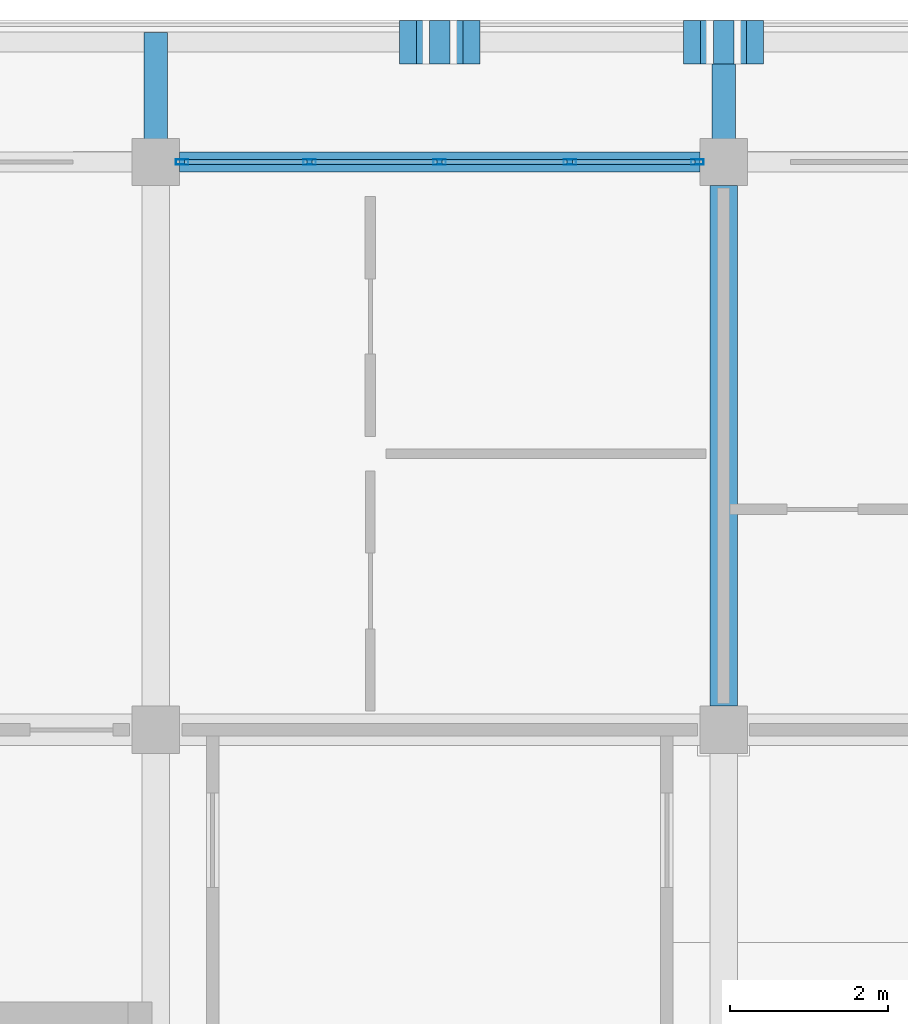
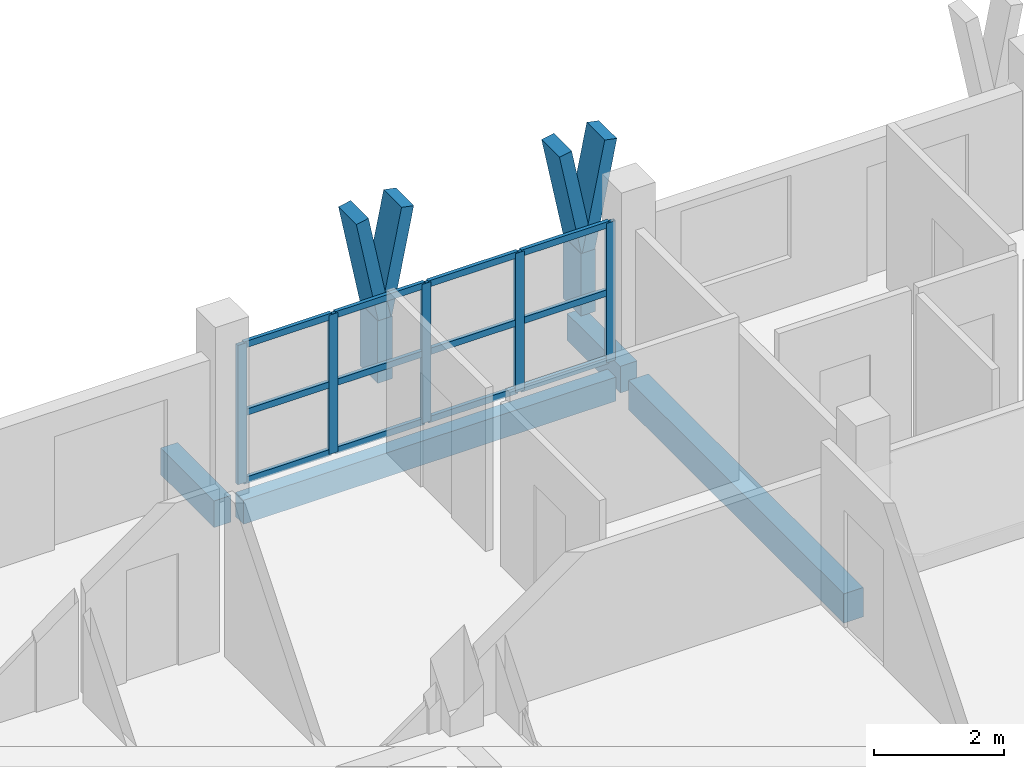
# One storey, part 31 of 75: 23 members, 4 beams, 1 element without a shape of its own.
"""IFC4 building model written with IfcOpenShell, lengths in metres."""

from ifc_helpers import new_model, si_unit, direction, frame, origin, origin_2d, place, context, subcontext, project, spatial, rectangle, hollow_rectangle, extrude, material, material_profile, profile_set, type_object, element, aggregate, save


model = new_model("IFC4")

# Units and contexts
model_context = context("Model", 3, precision=1e-05, world=origin(), true_north=direction((0.0, 1.0)))
body_context = subcontext(model_context, "Body", "Model", "MODEL_VIEW")
ifc_project = project(units=[si_unit("LENGTHUNIT", "METRE"), si_unit("AREAUNIT", "SQUARE_METRE"), si_unit("VOLUMEUNIT", "CUBIC_METRE"), si_unit("PLANEANGLEUNIT", "RADIAN"), si_unit("MASSUNIT", "GRAM", prefix="KILO")], contexts=[model_context])

# Site, building, storey
site_placement = place(None, origin())
site = spatial("IfcSite", under=ifc_project, at=site_placement, CompositionType="ELEMENT")
building_placement = place(site_placement, origin())
building = spatial("IfcBuilding", under=site, at=building_placement, Name="Suanplinth Sawtooth Commons", CompositionType="ELEMENT")
storey_placement = place(building_placement, frame((0.0, 0.0, 18.60009765625)))
storey = spatial("IfcBuildingStorey", under=building, at=storey_placement, Name="L05", CompositionType="ELEMENT", Elevation=18.60009765625)

# Beams
ifc_material_1 = material(Name="Precast concrete C40/50", Category="concrete")
ifc_material_profile_1 = material_profile(ifc_material_1, rectangle(XDim=0.35009765625, YDim=0.550048828125, at=origin_2d()), Name="PC-BM 350x550")
ifc_profile_set_1 = profile_set([ifc_material_profile_1], Name="Precast concrete C40/50")
beam_type_1 = type_object("IfcBeamType", Name="B-06", PredefinedType="BEAM", material=ifc_profile_set_1)
beam_1_placement = place(storey_placement, frame((172.800048828125, 115.5, -0.525146484375), z_axis=(0.0, 1.0, 0.0), x_axis=(-1.0, 0.0, 0.0)))
element("IfcBeam", 1, at=beam_1_placement, inside=storey, type_object=beam_type_1, Name="BMY-L05-B-24-16", PredefinedType="BEAM", context=body_context, shape_type="SweptSolid", body=[
    extrude(rectangle(XDim=0.35009765625, YDim=0.550048828125, at=origin_2d()), origin(), (0.0, 0.0, 1.0), 6.60009765625),
])
ifc_material_profile_2 = material_profile(ifc_material_1, rectangle(XDim=0.300048828125, YDim=0.5, at=origin_2d()), Name="PC-BM 300x500")
ifc_profile_set_2 = profile_set([ifc_material_profile_2], Name="Precast concrete C40/50")
beam_type_2 = type_object("IfcBeamType", Name="B-07", PredefinedType="BEAM", material=ifc_profile_set_2)
for number, where, z_axis, x_axis, name in (
    (2, (165.60009765625, 122.39990234375, -0.43017578125), (0.0, 1.0, 0.0), (-1.0, 0.0, 0.0), "Balcony Outrigger L05-B-N-23"),
    (3, (172.800048828125, 122.39990234375, -0.43017578125), (0.0, 1.0, 0.0), (-1.0, 0.0, 0.0), "Balcony Outrigger L05-B-N-24"),
):
    element("IfcBeam", number, at=place(storey_placement, frame(where, z_axis=z_axis, x_axis=x_axis)), inside=storey, type_object=beam_type_2, Name=name, PredefinedType="BEAM", context=body_context, shape_type="SweptSolid", body=[
        extrude(rectangle(XDim=0.300048828125, YDim=0.5, at=origin_2d()), origin(), (0.0, 0.0, 1.0), 1.64013671875),
    ])
ifc_material_profile_3 = material_profile(ifc_material_1, rectangle(XDim=0.25, YDim=0.449951171875, at=origin_2d()), Name="PC-SP 250x450")
ifc_profile_set_3 = profile_set([ifc_material_profile_3], Name="Precast concrete C40/50")
beam_type_3 = type_object("IfcBeamType", Name="B-09", PredefinedType="SPANDREL", material=ifc_profile_set_3)
beam_2_placement = place(storey_placement, frame((165.89990234375, 122.39990234375, -0.47509765625), z_axis=(1.0, 0.0, 0.0), x_axis=(0.0, 1.0, 0.0)))
element("IfcBeam", 4, at=beam_2_placement, inside=storey, type_object=beam_type_3, Name="BMX-L05-B-23-17", PredefinedType="SPANDREL", context=body_context, shape_type="SweptSolid", body=[
    extrude(rectangle(XDim=0.25, YDim=0.449951171875, at=origin_2d()), origin(), (0.0, 0.0, 1.0), 6.60009765625),
])

# Members
ifc_material_2 = material(Name="Pigmented precast concrete C40/50", Category="concrete")
ifc_material_profile_4 = material_profile(ifc_material_2, rectangle(XDim=0.260009765625, YDim=0.550048828125, at=origin_2d()), Name="PC-FIN 260x550")
ifc_profile_set_4 = profile_set([ifc_material_profile_4], Name="Pigmented precast concrete C40/50")
member_type_1 = type_object("IfcMemberType", Name="M-09", PredefinedType="USERDEFINED", material=ifc_profile_set_4)
for number, where, z_axis, x_axis, name in (
    (5, (169.199951171875, 123.919921875, 0.0), (0.0, 0.0, 1.0), (1.0, 0.0, 0.0), "Y-Blade Stem L05-B-N-05"),
    (6, (172.800048828125, 123.919921875, 0.0), (0.0, 0.0, 1.0), (1.0, 0.0, 0.0), "Y-Blade Stem L05-B-N-06"),
):
    element("IfcMember", number, at=place(storey_placement, frame(where, z_axis=z_axis, x_axis=x_axis)), inside=storey, type_object=member_type_1, Name=name, ObjectType="SHADING FIN", PredefinedType="USERDEFINED", context=body_context, shape_type="SweptSolid", body=[
        extrude(rectangle(XDim=0.260009765625, YDim=0.550048828125, at=origin_2d()), origin(), (0.0, 0.0, 1.0), 1.169921875),
    ])
ifc_material_profile_5 = material_profile(ifc_material_2, rectangle(XDim=0.219970703125, YDim=0.550048828125, at=origin_2d()), Name="PC-FIN 220x550")
ifc_profile_set_5 = profile_set([ifc_material_profile_5], Name="Pigmented precast concrete C40/50")
member_type_2 = type_object("IfcMemberType", Name="M-10", PredefinedType="USERDEFINED", material=ifc_profile_set_5)
for number, where, z_axis, x_axis, name in (
    (7, (169.199951171875, 123.919921875, 1.1298828125), (-0.196415357203, 0.0, 0.980520783795), (0.980520783795, 0.0, 0.196415357203), "Y-Blade Arm L L05-B-N-05"),
    (8, (169.199951171875, 123.919921875, 1.1298828125), (0.196530428008, 0.0, 0.98049772609), (-0.98049772609, 0.0, 0.196530428008), "Y-Blade Arm R L05-B-N-05"),
    (9, (172.800048828125, 123.919921875, 1.1298828125), (-0.196530428008, 0.0, 0.98049772609), (0.98049772609, 0.0, 0.196530428008), "Y-Blade Arm L L05-B-N-06"),
    (10, (172.800048828125, 123.919921875, 1.1298828125), (0.196415357203, 0.0, 0.980520783795), (-0.980520783795, 0.0, 0.196415357203), "Y-Blade Arm R L05-B-N-06"),
):
    element("IfcMember", number, at=place(storey_placement, frame(where, z_axis=z_axis, x_axis=x_axis)), inside=storey, type_object=member_type_2, Name=name, ObjectType="SHADING FIN", PredefinedType="USERDEFINED", context=body_context, shape_type="SweptSolid", body=[
        extrude(rectangle(XDim=0.219970703125, YDim=0.550048828125, at=origin_2d()), origin(), (0.0, 0.0, 1.0), 2.039794921875),
    ])

# Curtain wall, members
ifc_material_3 = material(Name="Anodized aluminium and low-E glazing", Category="aluminium")
curtain_wall_type = type_object("IfcCurtainWallType", Name="CW-06", PredefinedType="USERDEFINED", material=ifc_material_3)
curtain_wall_placement = place(storey_placement, origin())
curtain_wall = element("IfcCurtainWall", 11, at=curtain_wall_placement, inside=storey, type_object=curtain_wall_type, Name="Curtain Wall CW-L05-B-LOUNGE-23", ObjectType="CURTAIN WALL", PredefinedType="USERDEFINED")
ifc_material_4 = material(Name="Anodized aluminium 6063-T6", Category="aluminium")
ifc_material_profile_6 = material_profile(ifc_material_4, hollow_rectangle(XDim=0.06494140625, YDim=0.159912109375, WallThickness=0.00390625, at=origin_2d()), Name="ALU-MUL 65x160")
ifc_profile_set_6 = profile_set([ifc_material_profile_6], Name="Anodized aluminium 6063-T6")
member_type_3 = type_object("IfcMemberType", Name="M-13", PredefinedType="MULLION", material=ifc_profile_set_6)
member_1_placement = place(storey_placement, frame((165.9326171875, 122.39990234375, 0.0), z_axis=(0.0, 0.0, 1.0), x_axis=(0.0, 1.0, 0.0)))
member_1 = element("IfcMember", 12, at=member_1_placement, type_object=member_type_3, Name="CW-06 mullion 1", PredefinedType="MULLION", context=body_context, shape_type="SweptSolid", body=[
    extrude(hollow_rectangle(XDim=0.06494140625, YDim=0.159912109375, WallThickness=0.00390625, at=origin_2d()), origin(), (0.0, 0.0, 1.0), 2.60986328125),
])
member_2_placement = place(storey_placement, frame((167.550048828125, 122.39990234375, 0.0), z_axis=(0.0, 0.0, 1.0), x_axis=(0.0, 1.0, 0.0)))
member_2 = element("IfcMember", 13, at=member_2_placement, type_object=member_type_3, Name="CW-06 mullion 2", PredefinedType="MULLION", context=body_context, shape_type="SweptSolid", body=[
    extrude(hollow_rectangle(XDim=0.06494140625, YDim=0.159912109375, WallThickness=0.00390625, at=origin_2d()), origin(), (0.0, 0.0, 1.0), 2.60986328125),
])
member_3_placement = place(storey_placement, frame((169.199951171875, 122.39990234375, 0.0), z_axis=(0.0, 0.0, 1.0), x_axis=(0.0, 1.0, 0.0)))
member_3 = element("IfcMember", 14, at=member_3_placement, type_object=member_type_3, Name="CW-06 mullion 3", PredefinedType="MULLION", context=body_context, shape_type="SweptSolid", body=[
    extrude(hollow_rectangle(XDim=0.06494140625, YDim=0.159912109375, WallThickness=0.00390625, at=origin_2d()), origin(), (0.0, 0.0, 1.0), 2.60986328125),
])
member_4_placement = place(storey_placement, frame((170.85009765625, 122.39990234375, 0.0), z_axis=(0.0, 0.0, 1.0), x_axis=(0.0, 1.0, 0.0)))
member_4 = element("IfcMember", 15, at=member_4_placement, type_object=member_type_3, Name="CW-06 mullion 4", PredefinedType="MULLION", context=body_context, shape_type="SweptSolid", body=[
    extrude(hollow_rectangle(XDim=0.06494140625, YDim=0.159912109375, WallThickness=0.00390625, at=origin_2d()), origin(), (0.0, 0.0, 1.0), 2.60986328125),
])
member_5_placement = place(storey_placement, frame((172.467529296875, 122.39990234375, 0.0), z_axis=(0.0, 0.0, 1.0), x_axis=(0.0, 1.0, 0.0)))
member_5 = element("IfcMember", 16, at=member_5_placement, type_object=member_type_3, Name="CW-06 mullion 5", PredefinedType="MULLION", context=body_context, shape_type="SweptSolid", body=[
    extrude(hollow_rectangle(XDim=0.06494140625, YDim=0.159912109375, WallThickness=0.00390625, at=origin_2d()), origin(), (0.0, 0.0, 1.0), 2.60986328125),
])
ifc_material_profile_7 = material_profile(ifc_material_4, hollow_rectangle(XDim=0.06494140625, YDim=0.1201171875, WallThickness=0.00390625, at=origin_2d()), Name="ALU-TRN 65x120")
ifc_profile_set_7 = profile_set([ifc_material_profile_7], Name="Anodized aluminium 6063-T6")
member_type_4 = type_object("IfcMemberType", Name="M-15", PredefinedType="USERDEFINED", material=ifc_profile_set_7)
member_6_placement = place(storey_placement, frame((165.965087890625, 122.39990234375, 0.032470703125), z_axis=(1.0, 0.0, 0.0), x_axis=(0.0, 1.0, 0.0)))
member_6 = element("IfcMember", 17, at=member_6_placement, type_object=member_type_4, Name="CW-06 transom 1.1", ObjectType="TRANSOM", PredefinedType="USERDEFINED", context=body_context, shape_type="SweptSolid", body=[
    extrude(hollow_rectangle(XDim=0.06494140625, YDim=0.1201171875, WallThickness=0.00390625, at=origin_2d()), origin(), (0.0, 0.0, 1.0), 1.552490234375),
])
member_7_placement = place(storey_placement, frame((165.965087890625, 122.39990234375, 1.304931640625), z_axis=(1.0, 0.0, 0.0), x_axis=(0.0, 1.0, 0.0)))
member_7 = element("IfcMember", 18, at=member_7_placement, type_object=member_type_4, Name="CW-06 transom 1.2", ObjectType="TRANSOM", PredefinedType="USERDEFINED", context=body_context, shape_type="SweptSolid", body=[
    extrude(hollow_rectangle(XDim=0.06494140625, YDim=0.1201171875, WallThickness=0.00390625, at=origin_2d()), origin(), (0.0, 0.0, 1.0), 1.552490234375),
])
member_8_placement = place(storey_placement, frame((165.965087890625, 122.39990234375, 2.577392578125), z_axis=(1.0, 0.0, 0.0), x_axis=(0.0, 1.0, 0.0)))
member_8 = element("IfcMember", 19, at=member_8_placement, type_object=member_type_4, Name="CW-06 transom 1.3", ObjectType="TRANSOM", PredefinedType="USERDEFINED", context=body_context, shape_type="SweptSolid", body=[
    extrude(hollow_rectangle(XDim=0.06494140625, YDim=0.1201171875, WallThickness=0.00390625, at=origin_2d()), origin(), (0.0, 0.0, 1.0), 1.552490234375),
])
member_9_placement = place(storey_placement, frame((167.58251953125, 122.39990234375, 0.032470703125), z_axis=(1.0, 0.0, 0.0), x_axis=(0.0, 1.0, 0.0)))
member_9 = element("IfcMember", 20, at=member_9_placement, type_object=member_type_4, Name="CW-06 transom 2.1", ObjectType="TRANSOM", PredefinedType="USERDEFINED", context=body_context, shape_type="SweptSolid", body=[
    extrude(hollow_rectangle(XDim=0.06494140625, YDim=0.1201171875, WallThickness=0.00390625, at=origin_2d()), origin(), (0.0, 0.0, 1.0), 1.5849609375),
])
member_10_placement = place(storey_placement, frame((167.58251953125, 122.39990234375, 1.304931640625), z_axis=(1.0, 0.0, 0.0), x_axis=(0.0, 1.0, 0.0)))
member_10 = element("IfcMember", 21, at=member_10_placement, type_object=member_type_4, Name="CW-06 transom 2.2", ObjectType="TRANSOM", PredefinedType="USERDEFINED", context=body_context, shape_type="SweptSolid", body=[
    extrude(hollow_rectangle(XDim=0.06494140625, YDim=0.1201171875, WallThickness=0.00390625, at=origin_2d()), origin(), (0.0, 0.0, 1.0), 1.5849609375),
])
member_11_placement = place(storey_placement, frame((167.58251953125, 122.39990234375, 2.577392578125), z_axis=(1.0, 0.0, 0.0), x_axis=(0.0, 1.0, 0.0)))
member_11 = element("IfcMember", 22, at=member_11_placement, type_object=member_type_4, Name="CW-06 transom 2.3", ObjectType="TRANSOM", PredefinedType="USERDEFINED", context=body_context, shape_type="SweptSolid", body=[
    extrude(hollow_rectangle(XDim=0.06494140625, YDim=0.1201171875, WallThickness=0.00390625, at=origin_2d()), origin(), (0.0, 0.0, 1.0), 1.5849609375),
])
member_12_placement = place(storey_placement, frame((169.232421875, 122.39990234375, 0.032470703125), z_axis=(1.0, 0.0, 0.0), x_axis=(0.0, 1.0, 0.0)))
member_12 = element("IfcMember", 23, at=member_12_placement, type_object=member_type_4, Name="CW-06 transom 3.1", ObjectType="TRANSOM", PredefinedType="USERDEFINED", context=body_context, shape_type="SweptSolid", body=[
    extrude(hollow_rectangle(XDim=0.06494140625, YDim=0.1201171875, WallThickness=0.00390625, at=origin_2d()), origin(), (0.0, 0.0, 1.0), 1.5849609375),
])
member_13_placement = place(storey_placement, frame((169.232421875, 122.39990234375, 1.304931640625), z_axis=(1.0, 0.0, 0.0), x_axis=(0.0, 1.0, 0.0)))
member_13 = element("IfcMember", 24, at=member_13_placement, type_object=member_type_4, Name="CW-06 transom 3.2", ObjectType="TRANSOM", PredefinedType="USERDEFINED", context=body_context, shape_type="SweptSolid", body=[
    extrude(hollow_rectangle(XDim=0.06494140625, YDim=0.1201171875, WallThickness=0.00390625, at=origin_2d()), origin(), (0.0, 0.0, 1.0), 1.5849609375),
])
member_14_placement = place(storey_placement, frame((169.232421875, 122.39990234375, 2.577392578125), z_axis=(1.0, 0.0, 0.0), x_axis=(0.0, 1.0, 0.0)))
member_14 = element("IfcMember", 25, at=member_14_placement, type_object=member_type_4, Name="CW-06 transom 3.3", ObjectType="TRANSOM", PredefinedType="USERDEFINED", context=body_context, shape_type="SweptSolid", body=[
    extrude(hollow_rectangle(XDim=0.06494140625, YDim=0.1201171875, WallThickness=0.00390625, at=origin_2d()), origin(), (0.0, 0.0, 1.0), 1.5849609375),
])
member_15_placement = place(storey_placement, frame((170.882568359375, 122.39990234375, 0.032470703125), z_axis=(1.0, 0.0, 0.0), x_axis=(0.0, 1.0, 0.0)))
member_15 = element("IfcMember", 26, at=member_15_placement, type_object=member_type_4, Name="CW-06 transom 4.1", ObjectType="TRANSOM", PredefinedType="USERDEFINED", context=body_context, shape_type="SweptSolid", body=[
    extrude(hollow_rectangle(XDim=0.06494140625, YDim=0.1201171875, WallThickness=0.00390625, at=origin_2d()), origin(), (0.0, 0.0, 1.0), 1.552490234375),
])
member_16_placement = place(storey_placement, frame((170.882568359375, 122.39990234375, 1.304931640625), z_axis=(1.0, 0.0, 0.0), x_axis=(0.0, 1.0, 0.0)))
member_16 = element("IfcMember", 27, at=member_16_placement, type_object=member_type_4, Name="CW-06 transom 4.2", ObjectType="TRANSOM", PredefinedType="USERDEFINED", context=body_context, shape_type="SweptSolid", body=[
    extrude(hollow_rectangle(XDim=0.06494140625, YDim=0.1201171875, WallThickness=0.00390625, at=origin_2d()), origin(), (0.0, 0.0, 1.0), 1.552490234375),
])
member_17_placement = place(storey_placement, frame((170.882568359375, 122.39990234375, 2.577392578125), z_axis=(1.0, 0.0, 0.0), x_axis=(0.0, 1.0, 0.0)))
member_17 = element("IfcMember", 28, at=member_17_placement, type_object=member_type_4, Name="CW-06 transom 4.3", ObjectType="TRANSOM", PredefinedType="USERDEFINED", context=body_context, shape_type="SweptSolid", body=[
    extrude(hollow_rectangle(XDim=0.06494140625, YDim=0.1201171875, WallThickness=0.00390625, at=origin_2d()), origin(), (0.0, 0.0, 1.0), 1.552490234375),
])
aggregate(curtain_wall, [member_1, member_2, member_3, member_4, member_5, member_6, member_7, member_8, member_9, member_10, member_11, member_12, member_13, member_14, member_15, member_16, member_17])

save(model, "model.ifc")
